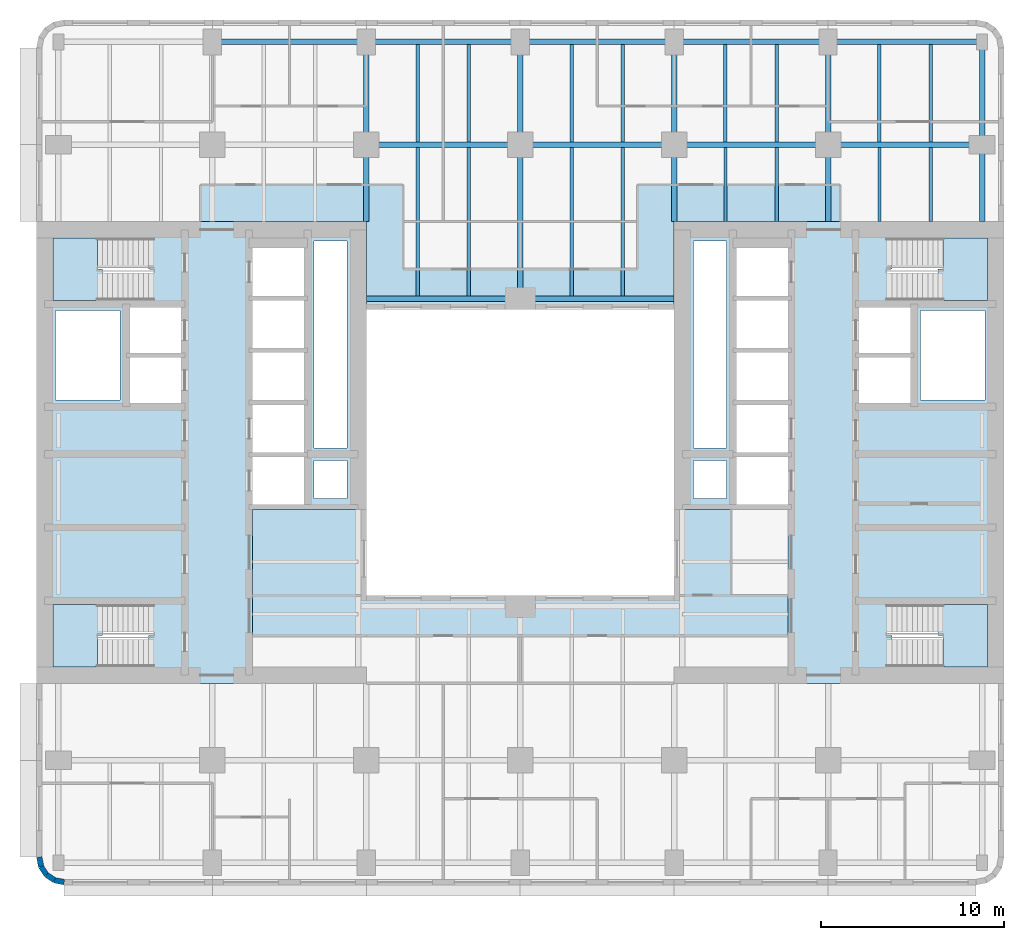
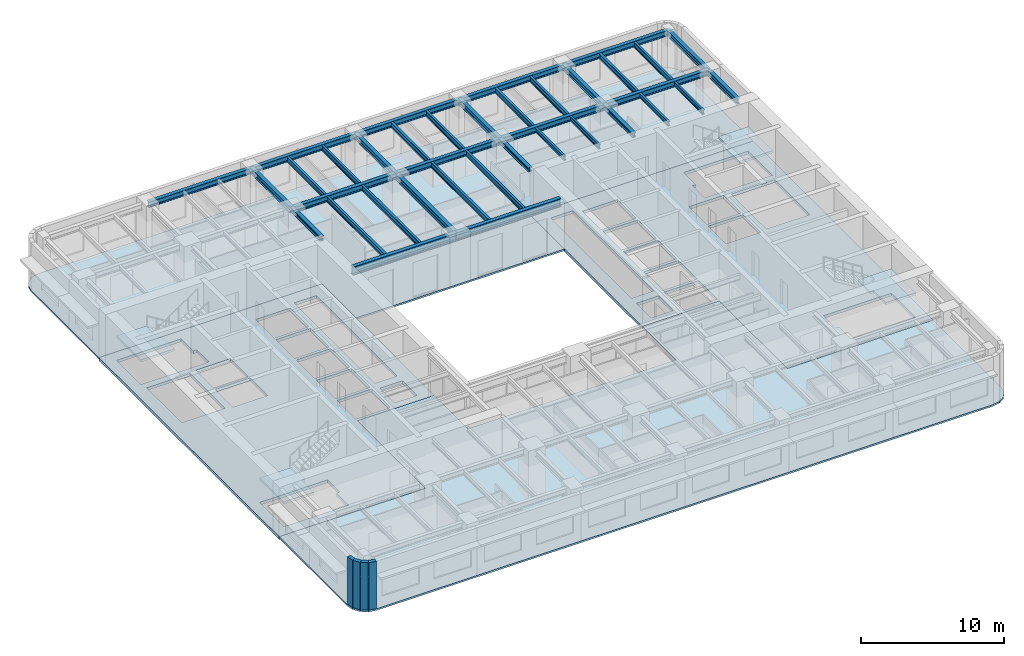
# One storey, part 2 of 11: 37 beams, 8 slabs, 4 walls, 4 elements without a shape of their own.
"""IFC4 building model written with IfcOpenShell, lengths in metres."""

from ifc_helpers import new_model, si_unit, direction, frame, frame_2d, origin, origin_2d, place, context, subcontext, project, spatial, polyline, rectangle, i_section, outline, extrude, material, layer, layer_set, material_profile, profile_set, type_object, element, aggregate, save


model = new_model("IFC4")

# Units and contexts
model_context = context("Model", 3, precision=1e-05, world=origin(), true_north=direction((0.0, 1.0)))
body_context = subcontext(model_context, "Body", "Model", "MODEL_VIEW")
ifc_project = project(units=[si_unit("LENGTHUNIT", "METRE"), si_unit("AREAUNIT", "SQUARE_METRE"), si_unit("VOLUMEUNIT", "CUBIC_METRE"), si_unit("PLANEANGLEUNIT", "RADIAN"), si_unit("MASSUNIT", "GRAM", prefix="KILO")], contexts=[model_context])

# Site, building, storey
site_placement = place(None, origin())
site = spatial("IfcSite", under=ifc_project, at=site_placement, CompositionType="ELEMENT")
building_placement = place(site_placement, origin())
building = spatial("IfcBuilding", under=site, at=building_placement, Name="Claustro Exchange Tower", CompositionType="ELEMENT")
storey_placement = place(building_placement, frame((0.0, 0.0, 151.199951171875)))
storey = spatial("IfcBuildingStorey", under=building, at=storey_placement, Name="L34", CompositionType="ELEMENT", Elevation=151.199951171875)

# Beams
ifc_material_1 = material(Name="Steel S355", Category="steel")
ifc_material_profile_1 = material_profile(ifc_material_1, i_section(OverallWidth=0.300048828125, OverallDepth=0.68994140625, WebThickness=0.014404296875, FlangeThickness=0.027099609375, FilletRadius=0.027099609375, at=origin_2d()), Name="HE 700 A")
ifc_profile_set_1 = profile_set([ifc_material_profile_1], Name="Steel S355")
beam_type_1 = type_object("IfcBeamType", Name="B13 HE 700 A light well edge girder", PredefinedType="BEAM", material=ifc_profile_set_1)
beam_1_placement = place(storey_placement, frame((16.800048828125, 33.60009765625, 3.705078125), z_axis=(1.0, 0.0, 0.0), x_axis=(0.0, 1.0, 0.0)))
element("IfcBeam", 1, at=beam_1_placement, inside=storey, type_object=beam_type_1, Name="Beam B13 L35", PredefinedType="BEAM", context=body_context, shape_type="SweptSolid", body=[
    extrude(i_section(OverallWidth=0.300048828125, OverallDepth=0.68994140625, WebThickness=0.014404296875, FlangeThickness=0.027099609375, FilletRadius=0.027099609375, at=origin_2d()), origin(), (0.0, 0.0, 1.0), 8.39990234375),
])
beam_2_placement = place(storey_placement, frame((25.199951171875, 33.60009765625, 3.705078125), z_axis=(1.0, 0.0, 0.0), x_axis=(0.0, 1.0, 0.0)))
element("IfcBeam", 2, at=beam_2_placement, inside=storey, type_object=beam_type_1, Name="Beam B13 L35", PredefinedType="BEAM", context=body_context, shape_type="SweptSolid", body=[
    extrude(i_section(OverallWidth=0.300048828125, OverallDepth=0.68994140625, WebThickness=0.014404296875, FlangeThickness=0.027099609375, FilletRadius=0.027099609375, at=origin_2d()), origin(), (0.0, 0.0, 1.0), 8.400146484375),
])
ifc_material_2 = material(Name="Steel S355", Category="steel")
ifc_material_profile_2 = material_profile(ifc_material_2, i_section(OverallWidth=0.169921875, OverallDepth=0.360107421875, WebThickness=0.008056640625, FlangeThickness=0.0126953125, FilletRadius=0.01806640625, at=origin_2d()), Name="IPE 360")
ifc_profile_set_2 = profile_set([ifc_material_profile_2], Name="Steel S355")
beam_type_2 = type_object("IfcBeamType", Name="B16 IPE 360 short-span beam", PredefinedType="BEAM", material=ifc_profile_set_2)
for number, where, z_axis, x_axis, name in (
    (3, (36.39990234375, 37.7900390625, 3.8701171875), (0.0, 1.0, 0.0), (-1.0, 0.0, 0.0), "Beam B16 L35"),
    (4, (39.199951171875, 37.7900390625, 3.8701171875), (0.0, 1.0, 0.0), (-1.0, 0.0, 0.0), "Beam B16 L35"),
    (5, (44.800048828125, 37.7900390625, 3.8701171875), (0.0, 1.0, 0.0), (-1.0, 0.0, 0.0), "Beam B16 L35"),
    (6, (47.60009765625, 37.7900390625, 3.8701171875), (0.0, 1.0, 0.0), (-1.0, 0.0, 0.0), "Beam B16 L35"),
):
    element("IfcBeam", number, at=place(storey_placement, frame(where, z_axis=z_axis, x_axis=x_axis)), inside=storey, type_object=beam_type_2, Name=name, PredefinedType="BEAM", context=body_context, shape_type="SweptSolid", body=[
        extrude(i_section(OverallWidth=0.169921875, OverallDepth=0.360107421875, WebThickness=0.008056640625, FlangeThickness=0.0126953125, FilletRadius=0.01806640625, at=origin_2d()), origin(), (0.0, 0.0, 1.0), 4.06005859375),
    ])
ifc_material_3 = material(Name="Steel S355", Category="steel")
ifc_material_profile_3 = material_profile(ifc_material_3, i_section(OverallWidth=0.300048828125, OverallDepth=0.360107421875, WebThickness=0.012451171875, FlangeThickness=0.0224609375, FilletRadius=0.027099609375, at=origin_2d()), Name="HE 360 B")
ifc_profile_set_3 = profile_set([ifc_material_profile_3], Name="Steel S355")
beam_type_3 = type_object("IfcBeamType", Name="B29 HE 360 B column to core link beam", PredefinedType="BEAM", material=ifc_profile_set_3)
for number, where, z_axis, x_axis, name in (
    (7, (16.800048828125, 37.800048828125, 3.8701171875), (0.0, 1.0, 0.0), (-1.0, 0.0, 0.0), "Beam B29 L35"),
    (8, (33.60009765625, 37.800048828125, 3.8701171875), (0.0, 1.0, 0.0), (-1.0, 0.0, 0.0), "Beam B29 L35"),
    (9, (42.0, 37.800048828125, 3.8701171875), (0.0, 1.0, 0.0), (-1.0, 0.0, 0.0), "Beam B29 L35"),
):
    element("IfcBeam", number, at=place(storey_placement, frame(where, z_axis=z_axis, x_axis=x_axis)), inside=storey, type_object=beam_type_3, Name=name, PredefinedType="BEAM", context=body_context, shape_type="SweptSolid", body=[
        extrude(i_section(OverallWidth=0.300048828125, OverallDepth=0.360107421875, WebThickness=0.012451171875, FlangeThickness=0.0224609375, FilletRadius=0.027099609375, at=origin_2d()), origin(), (0.0, 0.0, 1.0), 4.199951171875),
    ])
ifc_material_4 = material(Name="Steel S355", Category="steel")
ifc_material_profile_4 = material_profile(ifc_material_4, i_section(OverallWidth=0.300048828125, OverallDepth=0.5, WebThickness=0.014404296875, FlangeThickness=0.028076171875, FilletRadius=0.027099609375, at=origin_2d()), Name="HE 500 B")
ifc_profile_set_4 = profile_set([ifc_material_profile_4], Name="Steel S355")
beam_type_4 = type_object("IfcBeamType", Name="B7 HE 500 B floor girder", PredefinedType="BEAM", material=ifc_profile_set_4)
beam_3_placement = place(storey_placement, frame((16.800048828125, 42.0, 3.800048828125), z_axis=(0.0, 1.0, 0.0), x_axis=(-1.0, 0.0, 0.0)))
element("IfcBeam", 10, at=beam_3_placement, inside=storey, type_object=beam_type_4, Name="Beam B7 L35", PredefinedType="BEAM", context=body_context, shape_type="SweptSolid", body=[
    extrude(i_section(OverallWidth=0.300048828125, OverallDepth=0.5, WebThickness=0.014404296875, FlangeThickness=0.028076171875, FilletRadius=0.027099609375, at=origin_2d()), origin(), (0.0, 0.0, 1.0), 5.60009765625),
])
beam_4_placement = place(storey_placement, frame((25.199951171875, 33.60009765625, 3.800048828125), z_axis=(0.0, 1.0, 0.0), x_axis=(-1.0, 0.0, 0.0)))
element("IfcBeam", 11, at=beam_4_placement, inside=storey, type_object=beam_type_4, Name="Beam B7 L35", PredefinedType="BEAM", context=body_context, shape_type="SweptSolid", body=[
    extrude(i_section(OverallWidth=0.300048828125, OverallDepth=0.5, WebThickness=0.014404296875, FlangeThickness=0.028076171875, FilletRadius=0.027099609375, at=origin_2d()), origin(), (0.0, 0.0, 1.0), 8.39990234375),
])
for number, where, z_axis, x_axis, name in (
    (12, (25.199951171875, 42.0, 3.800048828125), (0.0, 1.0, 0.0), (-1.0, 0.0, 0.0), "Beam B7 L35"),
    (13, (33.60009765625, 42.0, 3.800048828125), (0.0, 1.0, 0.0), (-1.0, 0.0, 0.0), "Beam B7 L35"),
    (14, (42.0, 42.0, 3.800048828125), (0.0, 1.0, 0.0), (-1.0, 0.0, 0.0), "Beam B7 L35"),
):
    element("IfcBeam", number, at=place(storey_placement, frame(where, z_axis=z_axis, x_axis=x_axis)), inside=storey, type_object=beam_type_4, Name=name, PredefinedType="BEAM", context=body_context, shape_type="SweptSolid", body=[
        extrude(i_section(OverallWidth=0.300048828125, OverallDepth=0.5, WebThickness=0.014404296875, FlangeThickness=0.028076171875, FilletRadius=0.027099609375, at=origin_2d()), origin(), (0.0, 0.0, 1.0), 5.60009765625),
    ])
beam_5_placement = place(storey_placement, frame((16.800048828125, 42.0, 3.800048828125), z_axis=(1.0, 0.0, 0.0), x_axis=(0.0, 1.0, 0.0)))
element("IfcBeam", 15, at=beam_5_placement, inside=storey, type_object=beam_type_4, Name="Beam B7 L35", PredefinedType="BEAM", context=body_context, shape_type="SweptSolid", body=[
    extrude(i_section(OverallWidth=0.300048828125, OverallDepth=0.5, WebThickness=0.014404296875, FlangeThickness=0.028076171875, FilletRadius=0.027099609375, at=origin_2d()), origin(), (0.0, 0.0, 1.0), 8.39990234375),
])
beam_6_placement = place(storey_placement, frame((25.199951171875, 42.0, 3.800048828125), z_axis=(1.0, 0.0, 0.0), x_axis=(0.0, 1.0, 0.0)))
element("IfcBeam", 16, at=beam_6_placement, inside=storey, type_object=beam_type_4, Name="Beam B7 L35", PredefinedType="BEAM", context=body_context, shape_type="SweptSolid", body=[
    extrude(i_section(OverallWidth=0.300048828125, OverallDepth=0.5, WebThickness=0.014404296875, FlangeThickness=0.028076171875, FilletRadius=0.027099609375, at=origin_2d()), origin(), (0.0, 0.0, 1.0), 8.400146484375),
])
for number, where, z_axis, x_axis, name in (
    (17, (33.60009765625, 42.0, 3.800048828125), (1.0, 0.0, 0.0), (0.0, 1.0, 0.0), "Beam B7 L35"),
    (18, (42.0, 42.0, 3.800048828125), (1.0, 0.0, 0.0), (0.0, 1.0, 0.0), "Beam B7 L35"),
):
    element("IfcBeam", number, at=place(storey_placement, frame(where, z_axis=z_axis, x_axis=x_axis)), inside=storey, type_object=beam_type_4, Name=name, PredefinedType="BEAM", context=body_context, shape_type="SweptSolid", body=[
        extrude(i_section(OverallWidth=0.300048828125, OverallDepth=0.5, WebThickness=0.014404296875, FlangeThickness=0.028076171875, FilletRadius=0.027099609375, at=origin_2d()), origin(), (0.0, 0.0, 1.0), 8.39990234375),
    ])
ifc_material_5 = material(Name="Steel S355", Category="steel")
ifc_material_profile_5 = material_profile(ifc_material_5, i_section(OverallWidth=0.18994140625, OverallDepth=0.449951171875, WebThickness=0.009521484375, FlangeThickness=0.0146484375, FilletRadius=0.02099609375, at=origin_2d()), Name="IPE 450")
ifc_profile_set_5 = profile_set([ifc_material_profile_5], Name="Steel S355")
beam_type_5 = type_object("IfcBeamType", Name="B8 IPE 450 secondary beam", PredefinedType="BEAM", material=ifc_profile_set_5)
for number, where, z_axis, x_axis, name in (
    (19, (19.60009765625, 33.75, 3.824951171875), (0.0, 1.0, 0.0), (-1.0, 0.0, 0.0), "Beam B8 L35"),
    (20, (22.39990234375, 33.75, 3.824951171875), (0.0, 1.0, 0.0), (-1.0, 0.0, 0.0), "Beam B8 L35"),
):
    element("IfcBeam", number, at=place(storey_placement, frame(where, z_axis=z_axis, x_axis=x_axis)), inside=storey, type_object=beam_type_5, Name=name, PredefinedType="BEAM", context=body_context, shape_type="SweptSolid", body=[
        extrude(i_section(OverallWidth=0.18994140625, OverallDepth=0.449951171875, WebThickness=0.009521484375, FlangeThickness=0.0146484375, FilletRadius=0.02099609375, at=origin_2d()), origin(), (0.0, 0.0, 1.0), 8.10009765625),
    ])
for number, where, z_axis, x_axis, name in (
    (21, (19.60009765625, 42.14990234375, 3.824951171875), (0.0, 1.0, 0.0), (-1.0, 0.0, 0.0), "Beam B8 L35"),
    (22, (22.39990234375, 42.14990234375, 3.824951171875), (0.0, 1.0, 0.0), (-1.0, 0.0, 0.0), "Beam B8 L35"),
):
    element("IfcBeam", number, at=place(storey_placement, frame(where, z_axis=z_axis, x_axis=x_axis)), inside=storey, type_object=beam_type_5, Name=name, PredefinedType="BEAM", context=body_context, shape_type="SweptSolid", body=[
        extrude(i_section(OverallWidth=0.18994140625, OverallDepth=0.449951171875, WebThickness=0.009521484375, FlangeThickness=0.0146484375, FilletRadius=0.02099609375, at=origin_2d()), origin(), (0.0, 0.0, 1.0), 5.300048828125),
    ])
for number, where, z_axis, x_axis, name in (
    (23, (28.0, 33.75, 3.824951171875), (0.0, 1.0, 0.0), (-1.0, 0.0, 0.0), "Beam B8 L35"),
    (24, (30.800048828125, 33.75, 3.824951171875), (0.0, 1.0, 0.0), (-1.0, 0.0, 0.0), "Beam B8 L35"),
):
    element("IfcBeam", number, at=place(storey_placement, frame(where, z_axis=z_axis, x_axis=x_axis)), inside=storey, type_object=beam_type_5, Name=name, PredefinedType="BEAM", context=body_context, shape_type="SweptSolid", body=[
        extrude(i_section(OverallWidth=0.18994140625, OverallDepth=0.449951171875, WebThickness=0.009521484375, FlangeThickness=0.0146484375, FilletRadius=0.02099609375, at=origin_2d()), origin(), (0.0, 0.0, 1.0), 8.10009765625),
    ])
for number, where, z_axis, x_axis, name in (
    (25, (28.0, 42.14990234375, 3.824951171875), (0.0, 1.0, 0.0), (-1.0, 0.0, 0.0), "Beam B8 L35"),
    (26, (30.800048828125, 42.14990234375, 3.824951171875), (0.0, 1.0, 0.0), (-1.0, 0.0, 0.0), "Beam B8 L35"),
    (27, (36.39990234375, 42.14990234375, 3.824951171875), (0.0, 1.0, 0.0), (-1.0, 0.0, 0.0), "Beam B8 L35"),
    (28, (39.199951171875, 42.14990234375, 3.824951171875), (0.0, 1.0, 0.0), (-1.0, 0.0, 0.0), "Beam B8 L35"),
    (29, (44.800048828125, 42.14990234375, 3.824951171875), (0.0, 1.0, 0.0), (-1.0, 0.0, 0.0), "Beam B8 L35"),
    (30, (47.60009765625, 42.14990234375, 3.824951171875), (0.0, 1.0, 0.0), (-1.0, 0.0, 0.0), "Beam B8 L35"),
):
    element("IfcBeam", number, at=place(storey_placement, frame(where, z_axis=z_axis, x_axis=x_axis)), inside=storey, type_object=beam_type_5, Name=name, PredefinedType="BEAM", context=body_context, shape_type="SweptSolid", body=[
        extrude(i_section(OverallWidth=0.18994140625, OverallDepth=0.449951171875, WebThickness=0.009521484375, FlangeThickness=0.0146484375, FilletRadius=0.02099609375, at=origin_2d()), origin(), (0.0, 0.0, 1.0), 5.300048828125),
    ])
ifc_material_6 = material(Name="Steel S355", Category="steel")
ifc_material_profile_6 = material_profile(ifc_material_6, i_section(OverallWidth=0.300048828125, OverallDepth=0.489990234375, WebThickness=0.011962890625, FlangeThickness=0.02294921875, FilletRadius=0.027099609375, at=origin_2d()), Name="HE 500 A")
ifc_profile_set_6 = profile_set([ifc_material_profile_6], Name="Steel S355")
beam_type_6 = type_object("IfcBeamType", Name="B9 HE 500 A spandrel edge girder", PredefinedType="SPANDREL", material=ifc_profile_set_6)
beam_7_placement = place(storey_placement, frame((50.39990234375, 37.800048828125, 3.804931640625), z_axis=(0.0, 1.0, 0.0), x_axis=(-1.0, 0.0, 0.0)))
element("IfcBeam", 31, at=beam_7_placement, inside=storey, type_object=beam_type_6, Name="Beam B9 L35", PredefinedType="SPANDREL", context=body_context, shape_type="SweptSolid", body=[
    extrude(i_section(OverallWidth=0.300048828125, OverallDepth=0.489990234375, WebThickness=0.011962890625, FlangeThickness=0.02294921875, FilletRadius=0.027099609375, at=origin_2d()), origin(), (0.0, 0.0, 1.0), 4.199951171875),
])
beam_8_placement = place(storey_placement, frame((50.39990234375, 42.0, 3.804931640625), z_axis=(0.0, 1.0, 0.0), x_axis=(-1.0, 0.0, 0.0)))
element("IfcBeam", 32, at=beam_8_placement, inside=storey, type_object=beam_type_6, Name="Beam B9 L35", PredefinedType="SPANDREL", context=body_context, shape_type="SweptSolid", body=[
    extrude(i_section(OverallWidth=0.300048828125, OverallDepth=0.489990234375, WebThickness=0.011962890625, FlangeThickness=0.02294921875, FilletRadius=0.027099609375, at=origin_2d()), origin(), (0.0, 0.0, 1.0), 5.60009765625),
])
beam_9_placement = place(storey_placement, frame((8.39990234375, 47.60009765625, 3.804931640625), z_axis=(1.0, 0.0, 0.0), x_axis=(0.0, 1.0, 0.0)))
element("IfcBeam", 33, at=beam_9_placement, inside=storey, type_object=beam_type_6, Name="Beam B9 L35", PredefinedType="SPANDREL", context=body_context, shape_type="SweptSolid", body=[
    extrude(i_section(OverallWidth=0.300048828125, OverallDepth=0.489990234375, WebThickness=0.011962890625, FlangeThickness=0.02294921875, FilletRadius=0.027099609375, at=origin_2d()), origin(), (0.0, 0.0, 1.0), 8.400146484375),
])
beam_10_placement = place(storey_placement, frame((16.800048828125, 47.60009765625, 3.804931640625), z_axis=(1.0, 0.0, 0.0), x_axis=(0.0, 1.0, 0.0)))
element("IfcBeam", 34, at=beam_10_placement, inside=storey, type_object=beam_type_6, Name="Beam B9 L35", PredefinedType="SPANDREL", context=body_context, shape_type="SweptSolid", body=[
    extrude(i_section(OverallWidth=0.300048828125, OverallDepth=0.489990234375, WebThickness=0.011962890625, FlangeThickness=0.02294921875, FilletRadius=0.027099609375, at=origin_2d()), origin(), (0.0, 0.0, 1.0), 8.39990234375),
])
beam_11_placement = place(storey_placement, frame((25.199951171875, 47.60009765625, 3.804931640625), z_axis=(1.0, 0.0, 0.0), x_axis=(0.0, 1.0, 0.0)))
element("IfcBeam", 35, at=beam_11_placement, inside=storey, type_object=beam_type_6, Name="Beam B9 L35", PredefinedType="SPANDREL", context=body_context, shape_type="SweptSolid", body=[
    extrude(i_section(OverallWidth=0.300048828125, OverallDepth=0.489990234375, WebThickness=0.011962890625, FlangeThickness=0.02294921875, FilletRadius=0.027099609375, at=origin_2d()), origin(), (0.0, 0.0, 1.0), 8.400146484375),
])
for number, where, z_axis, x_axis, name in (
    (36, (33.60009765625, 47.60009765625, 3.804931640625), (1.0, 0.0, 0.0), (0.0, 1.0, 0.0), "Beam B9 L35"),
    (37, (42.0, 47.60009765625, 3.804931640625), (1.0, 0.0, 0.0), (0.0, 1.0, 0.0), "Beam B9 L35"),
):
    element("IfcBeam", number, at=place(storey_placement, frame(where, z_axis=z_axis, x_axis=x_axis)), inside=storey, type_object=beam_type_6, Name=name, PredefinedType="SPANDREL", context=body_context, shape_type="SweptSolid", body=[
        extrude(i_section(OverallWidth=0.300048828125, OverallDepth=0.489990234375, WebThickness=0.011962890625, FlangeThickness=0.02294921875, FilletRadius=0.027099609375, at=origin_2d()), origin(), (0.0, 0.0, 1.0), 8.39990234375),
    ])

# Slabs
ifc_material_7 = material(Name="Concrete HA-50 (C50/60)", Category="concrete")
ifc_layer_1 = layer(ifc_material_7, 0.14990234375)
ifc_layer_set_1 = layer_set([ifc_layer_1], Name="Concrete HA-50 (C50/60)")
slab_type_1 = type_object("IfcSlabType", Name="S2 150 composite floor slab", PredefinedType="FLOOR", material=ifc_layer_set_1)
slab_1_placement = place(storey_placement, frame((0.0, 0.0, -0.14990234375)))
element("IfcSlab", 38, at=slab_1_placement, inside=storey, type_object=slab_type_1, Name="Floor slab S2 S L34", PredefinedType="FLOOR", context=body_context, shape_type="SweptSolid", body=[
    extrude(outline(polyline([(-0.27392578125, 1.714111328125), (0.300048828125, 1.60009765625), (50.10009765625, 1.60009765625), (50.674072265625, 1.714111328125), (51.16064453125, 2.039306640625), (51.48583984375, 2.52587890625), (51.60009765625, 3.10009765625), (51.60009765625, 12.60009765625), (39.800048828125, 12.60009765625), (39.800048828125, 22.10009765625), (33.60009765625, 22.10009765625), (33.60009765625, 17.39990234375), (16.800048828125, 17.39990234375), (16.800048828125, 22.10009765625), (10.60009765625, 22.10009765625), (10.60009765625, 12.60009765625), (-1.199951171875, 12.60009765625), (-1.199951171875, 3.10009765625), (-1.085693359375, 2.52587890625), (-0.7607421875, 2.039306640625), (-0.27392578125, 1.714111328125)])), origin(), (0.0, 0.0, 1.0), 0.14990234375),
])
slab_2_placement = place(storey_placement, frame((0.0, 0.0, -0.14990234375)))
element("IfcSlab", 39, at=slab_2_placement, inside=storey, type_object=slab_type_1, Name="Floor slab S2 N L34", PredefinedType="FLOOR", context=body_context, shape_type="SweptSolid", body=[
    extrude(outline(polyline([(16.800048828125, 37.800048828125), (16.800048828125, 33.0), (33.60009765625, 33.0), (33.60009765625, 37.800048828125), (51.60009765625, 37.800048828125), (51.60009765625, 47.300048828125), (51.48583984375, 47.8740234375), (51.16064453125, 48.360595703125), (50.674072265625, 48.685791015625), (50.10009765625, 48.800048828125), (0.300048828125, 48.800048828125), (-0.27392578125, 48.685791015625), (-0.7607421875, 48.360595703125), (-1.085693359375, 47.8740234375), (-1.199951171875, 47.300048828125), (-1.199951171875, 37.800048828125), (16.800048828125, 37.800048828125)])), origin(), (0.0, 0.0, 1.0), 0.14990234375),
])
ifc_material_8 = material(Name="Concrete HA-50 (C50/60)", Category="concrete")
ifc_layer_2 = layer(ifc_material_8, 0.25)
ifc_layer_set_2 = layer_set([ifc_layer_2], Name="Concrete HA-50 (C50/60)")
slab_type_2 = type_object("IfcSlabType", Name="S7 250 core floor slab", PredefinedType="FLOOR", material=ifc_layer_set_2)
slab_3_placement = place(storey_placement, frame((0.0, 0.0, -0.25)))
element("IfcSlab", 40, at=slab_3_placement, inside=storey, type_object=slab_type_2, Name="Core floor slab S7 W core L34", PredefinedType="FLOOR", context=body_context, shape_type="SweptSolid", body=[
    extrude(outline(polyline([(-1.199951171875, 37.800048828125), (-1.199951171875, 12.60009765625), (10.60009765625, 12.60009765625), (10.60009765625, 22.10009765625), (16.800048828125, 22.10009765625), (16.800048828125, 37.800048828125), (-1.199951171875, 37.800048828125)]), holes=[polyline([(13.949951171875, 24.75), (15.75, 24.75), (15.75, 22.699951171875), (13.949951171875, 22.699951171875), (13.949951171875, 24.75)]), polyline([(13.949951171875, 36.75), (15.75, 36.75), (15.75, 25.449951171875), (13.949951171875, 25.449951171875), (13.949951171875, 36.75)]), polyline([(13.39990234375, 24.949951171875), (13.39990234375, 22.35009765625), (10.60009765625, 22.35009765625), (10.60009765625, 24.949951171875), (13.39990234375, 24.949951171875)]), polyline([(13.39990234375, 27.800048828125), (13.39990234375, 25.199951171875), (10.60009765625, 25.199951171875), (10.60009765625, 27.800048828125), (13.39990234375, 27.800048828125)]), polyline([(13.39990234375, 30.64990234375), (13.39990234375, 28.050048828125), (10.60009765625, 28.050048828125), (10.60009765625, 30.64990234375), (13.39990234375, 30.64990234375)]), polyline([(13.39990234375, 33.5), (13.39990234375, 30.89990234375), (10.60009765625, 30.89990234375), (10.60009765625, 33.5), (13.39990234375, 33.5)]), polyline([(13.39990234375, 36.35009765625), (13.39990234375, 33.75), (10.60009765625, 33.75), (10.60009765625, 36.35009765625), (13.39990234375, 36.35009765625)]), polyline([(6.699951171875, 30.375), (6.699951171875, 27.89990234375), (3.89990234375, 27.89990234375), (3.89990234375, 30.375), (6.699951171875, 30.375)]), polyline([(6.699951171875, 33.10009765625), (6.699951171875, 30.625), (3.89990234375, 30.625), (3.89990234375, 33.10009765625), (6.699951171875, 33.10009765625)]), polyline([(-0.300048828125, 15.199951171875), (-0.300048828125, 16.89990234375), (5.195068359375, 16.89990234375), (5.195068359375, 15.199951171875), (4.919921875, 15.199951171875), (4.919921875, 13.5), (-0.300048828125, 13.5), (-0.300048828125, 15.199951171875)]), polyline([(-0.300048828125, 35.199951171875), (-0.300048828125, 36.89990234375), (4.919921875, 36.89990234375), (4.919921875, 35.199951171875), (5.195068359375, 35.199951171875), (5.195068359375, 33.5), (-0.300048828125, 33.5), (-0.300048828125, 35.199951171875)]), polyline([(-0.14990234375, 32.949951171875), (3.35009765625, 32.949951171875), (3.35009765625, 28.050048828125), (-0.14990234375, 28.050048828125), (-0.14990234375, 32.949951171875)])]), origin(), (0.0, 0.0, 1.0), 0.25),
])
slab_4_placement = place(storey_placement, frame((0.0, 0.0, -0.25)))
element("IfcSlab", 41, at=slab_4_placement, inside=storey, type_object=slab_type_2, Name="Core floor slab S7 E core L34", PredefinedType="FLOOR", context=body_context, shape_type="SweptSolid", body=[
    extrude(outline(polyline([(51.60009765625, 37.800048828125), (33.60009765625, 37.800048828125), (33.60009765625, 22.10009765625), (39.800048828125, 22.10009765625), (39.800048828125, 12.60009765625), (51.60009765625, 12.60009765625), (51.60009765625, 37.800048828125)]), holes=[polyline([(45.47998046875, 15.199951171875), (45.205078125, 15.199951171875), (45.205078125, 16.89990234375), (50.699951171875, 16.89990234375), (50.699951171875, 15.199951171875), (50.699951171875, 13.5), (45.47998046875, 13.5), (45.47998046875, 15.199951171875)]), polyline([(45.47998046875, 35.199951171875), (45.47998046875, 36.89990234375), (50.699951171875, 36.89990234375), (50.699951171875, 35.199951171875), (50.699951171875, 33.5), (45.205078125, 33.5), (45.205078125, 35.199951171875), (45.47998046875, 35.199951171875)]), polyline([(50.550048828125, 32.949951171875), (50.550048828125, 28.050048828125), (47.050048828125, 28.050048828125), (47.050048828125, 32.949951171875), (50.550048828125, 32.949951171875)]), polyline([(43.699951171875, 33.10009765625), (46.5, 33.10009765625), (46.5, 30.625), (43.699951171875, 30.625), (43.699951171875, 33.10009765625)]), polyline([(46.5, 30.375), (46.5, 27.89990234375), (43.699951171875, 27.89990234375), (43.699951171875, 30.375), (46.5, 30.375)]), polyline([(37.0, 24.949951171875), (39.800048828125, 24.949951171875), (39.800048828125, 22.35009765625), (37.0, 22.35009765625), (37.0, 24.949951171875)]), polyline([(37.0, 30.64990234375), (39.800048828125, 30.64990234375), (39.800048828125, 28.050048828125), (37.0, 28.050048828125), (37.0, 30.64990234375)]), polyline([(39.800048828125, 27.800048828125), (39.800048828125, 25.199951171875), (37.0, 25.199951171875), (37.0, 27.800048828125), (39.800048828125, 27.800048828125)]), polyline([(39.800048828125, 33.5), (39.800048828125, 30.89990234375), (37.0, 30.89990234375), (37.0, 33.5), (39.800048828125, 33.5)]), polyline([(39.800048828125, 36.35009765625), (39.800048828125, 33.75), (37.0, 33.75), (37.0, 36.35009765625), (39.800048828125, 36.35009765625)]), polyline([(36.449951171875, 24.75), (36.449951171875, 22.699951171875), (34.64990234375, 22.699951171875), (34.64990234375, 24.75), (36.449951171875, 24.75)]), polyline([(36.449951171875, 36.75), (36.449951171875, 25.449951171875), (34.64990234375, 25.449951171875), (34.64990234375, 36.75), (36.449951171875, 36.75)])]), origin(), (0.0, 0.0, 1.0), 0.25),
])

# Stair, slab
ifc_material_9 = material(Name="Concrete HA-30 (C30/37), precast", Category="concrete")
stair_type = type_object("IfcStairType", Name="ST1 half-turn stair, 24 risers of 175", PredefinedType="HALF_TURN_STAIR", material=ifc_material_9)
stair_1_placement = place(storey_placement, origin())
stair_1 = element("IfcStair", 42, at=stair_1_placement, inside=storey, type_object=stair_type, Name="Stair STWA L34", PredefinedType="HALF_TURN_STAIR")
ifc_material_10 = material(Name="Concrete HA-30 (C30/37), precast", Category="concrete")
ifc_layer_3 = layer(ifc_material_10, 0.199951171875)
ifc_layer_set_3 = layer_set([ifc_layer_3], Name="Concrete HA-30 (C30/37), precast")
slab_type_3 = type_object("IfcSlabType", Name="S9 200 stair landing", PredefinedType="LANDING", material=ifc_layer_set_3)
slab_5_placement = place(storey_placement, frame((0.0, 0.0, 1.900146484375)))
slab_5 = element("IfcSlab", 43, at=slab_5_placement, type_object=slab_type_3, Name="STWA landing 1", PredefinedType="LANDING", context=body_context, shape_type="SweptSolid", body=[
    extrude(outline(polyline([(2.125, 13.5), (-0.300048828125, 13.5), (-0.300048828125, 16.89990234375), (2.1201171875, 16.89990234375), (2.125, 16.89990234375), (2.39990234375, 16.89990234375), (2.39990234375, 15.199951171875), (2.125, 15.199951171875), (2.125, 13.5)])), origin(), (0.0, 0.0, 1.0), 0.199951171875),
])
aggregate(stair_1, [slab_5])

stair_2_placement = place(storey_placement, origin())
stair_2 = element("IfcStair", 44, at=stair_2_placement, inside=storey, type_object=stair_type, Name="Stair STWB L34", PredefinedType="HALF_TURN_STAIR")
slab_6_placement = place(storey_placement, frame((0.0, 0.0, 1.900146484375)))
slab_6 = element("IfcSlab", 45, at=slab_6_placement, type_object=slab_type_3, Name="STWB landing 1", PredefinedType="LANDING", context=body_context, shape_type="SweptSolid", body=[
    extrude(outline(polyline([(2.39990234375, 35.199951171875), (2.39990234375, 33.5), (2.125, 33.5), (2.1201171875, 33.5), (-0.300048828125, 33.5), (-0.300048828125, 36.89990234375), (2.125, 36.89990234375), (2.125, 35.199951171875), (2.39990234375, 35.199951171875)])), origin(), (0.0, 0.0, 1.0), 0.199951171875),
])
aggregate(stair_2, [slab_6])

stair_3_placement = place(storey_placement, origin())
stair_3 = element("IfcStair", 46, at=stair_3_placement, inside=storey, type_object=stair_type, Name="Stair STEA L34", PredefinedType="HALF_TURN_STAIR")
slab_7_placement = place(storey_placement, frame((0.0, 0.0, 1.900146484375)))
slab_7 = element("IfcSlab", 47, at=slab_7_placement, type_object=slab_type_3, Name="STEA landing 1", PredefinedType="LANDING", context=body_context, shape_type="SweptSolid", body=[
    extrude(outline(polyline([(50.699951171875, 16.89990234375), (50.699951171875, 13.5), (48.27490234375, 13.5), (48.27490234375, 15.199951171875), (48.0, 15.199951171875), (48.0, 16.89990234375), (48.27490234375, 16.89990234375), (48.280029296875, 16.89990234375), (50.699951171875, 16.89990234375)])), origin(), (0.0, 0.0, 1.0), 0.199951171875),
])
aggregate(stair_3, [slab_7])

stair_4_placement = place(storey_placement, origin())
stair_4 = element("IfcStair", 48, at=stair_4_placement, inside=storey, type_object=stair_type, Name="Stair STEB L34", PredefinedType="HALF_TURN_STAIR")
slab_8_placement = place(storey_placement, frame((0.0, 0.0, 1.900146484375)))
slab_8 = element("IfcSlab", 49, at=slab_8_placement, type_object=slab_type_3, Name="STEB landing 1", PredefinedType="LANDING", context=body_context, shape_type="SweptSolid", body=[
    extrude(outline(polyline([(48.0, 33.5), (48.0, 35.199951171875), (48.27490234375, 35.199951171875), (48.27490234375, 36.89990234375), (50.699951171875, 36.89990234375), (50.699951171875, 33.5), (48.280029296875, 33.5), (48.27490234375, 33.5), (48.0, 33.5)])), origin(), (0.0, 0.0, 1.0), 0.199951171875),
])
aggregate(stair_4, [slab_8])

# Walls
ifc_material_11 = material(Name="Concrete HA-40 (C40/50), precast, white cement, acid-etched", Category="concrete")
ifc_layer_4 = layer(ifc_material_11, 0.300048828125)
ifc_layer_set_4 = layer_set([ifc_layer_4], Name="Concrete HA-40 (C40/50), precast, white cement, acid-etched")
wall_type = type_object("IfcWallType", Name="PC1 300 precast concrete pier panel", PredefinedType="SOLIDWALL", material=ifc_layer_set_4)
wall_1_placement = place(storey_placement, frame((0.314697265625, 1.75, 0.0), z_axis=(0.0, 0.0, 1.0), x_axis=(-0.980788534345, 0.195073962632, 0.0)))
element("IfcWall", 50, at=wall_1_placement, inside=storey, type_object=wall_type, Name="Precast pier panel PC1 L34", PredefinedType="SOLIDWALL", context=body_context, shape_type="SweptSolid", body=[
    extrude(rectangle(XDim=0.540771484375, YDim=0.300048828125, at=frame_2d((0.2705078125, 0.0))), origin(), (0.0, 0.0, 1.0), 4.050048828125),
])
for number, where, z_axis, x_axis, name in (
    (51, (-0.215576171875, 1.85546875, 0.0), (0.0, 0.0, 1.0), (-0.831478144188, 0.555557463938, 0.0), "Precast pier panel PC1 L34"),
    (52, (-0.652587890625, 2.1474609375, 0.0), (0.0, 0.0, 1.0), (-0.555557463938, 0.831478144188, 0.0), "Precast pier panel PC1 L34"),
):
    element("IfcWall", number, at=place(storey_placement, frame(where, z_axis=z_axis, x_axis=x_axis)), inside=storey, type_object=wall_type, Name=name, PredefinedType="SOLIDWALL", context=body_context, shape_type="SweptSolid", body=[
        extrude(rectangle(XDim=0.525634765625, YDim=0.300048828125, at=frame_2d((0.2626953125, 0.0))), origin(), (0.0, 0.0, 1.0), 4.050048828125),
    ])
wall_2_placement = place(storey_placement, frame((-0.944580078125, 2.58447265625, 0.0), z_axis=(0.0, 0.0, 1.0), x_axis=(-0.195073962632, 0.980788534345, 0.0)))
element("IfcWall", 53, at=wall_2_placement, inside=storey, type_object=wall_type, Name="Precast pier panel PC1 L34", PredefinedType="SOLIDWALL", context=body_context, shape_type="SweptSolid", body=[
    extrude(rectangle(XDim=0.540771484375, YDim=0.300048828125, at=frame_2d((0.2705078125, 0.0))), origin(), (0.0, 0.0, 1.0), 4.050048828125),
])

save(model, "model.ifc")
